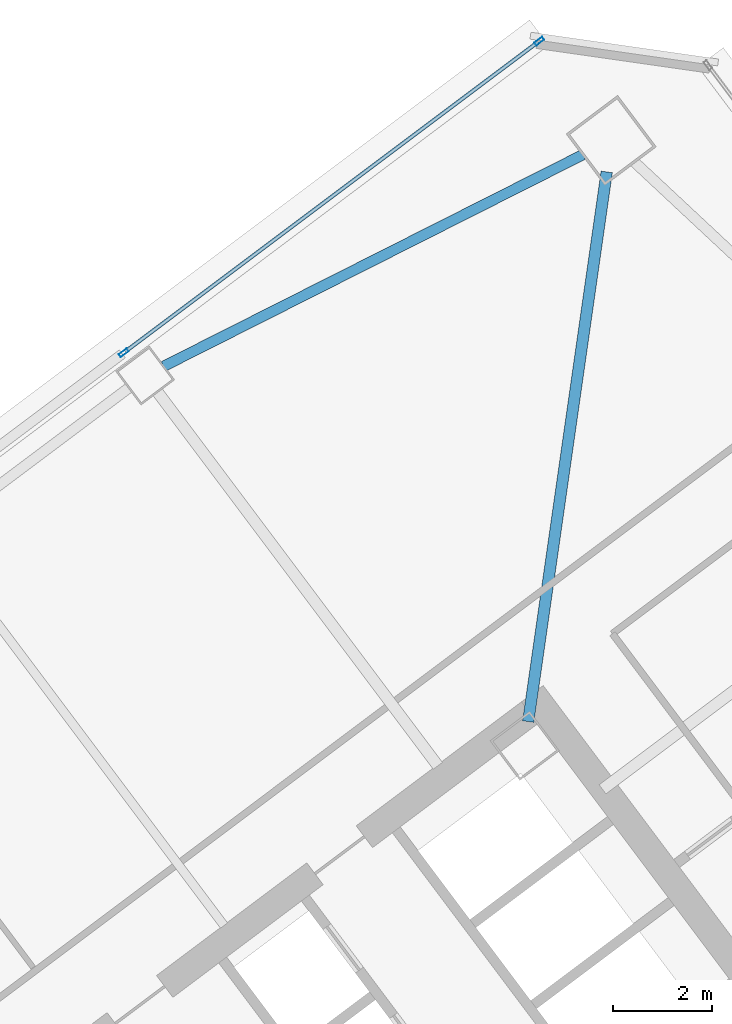
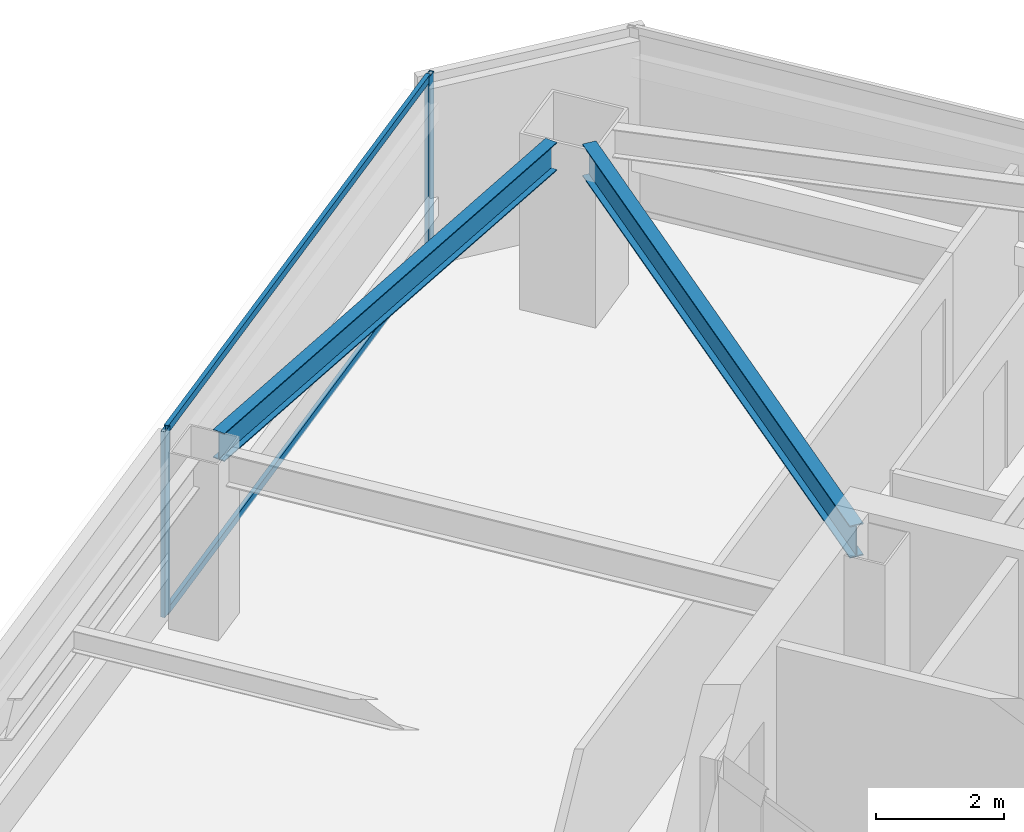
# One storey, part 27 of 41: 4 members, 2 beams, 1 element without a shape of its own.
"""IFC4 building model written with IfcOpenShell, lengths in metres."""

from ifc_helpers import new_model, si_unit, direction, frame, origin, origin_2d, place, context, subcontext, project, spatial, hollow_rectangle, i_section, extrude, material, material_profile, profile_set, type_object, element, aggregate, save


model = new_model("IFC4")

# Units and contexts
model_context = context("Model", 3, precision=1e-05, world=origin(), true_north=direction((0.0, 1.0)))
body_context = subcontext(model_context, "Body", "Model", "MODEL_VIEW")
ifc_project = project(units=[si_unit("LENGTHUNIT", "METRE"), si_unit("AREAUNIT", "SQUARE_METRE"), si_unit("VOLUMEUNIT", "CUBIC_METRE"), si_unit("PLANEANGLEUNIT", "RADIAN"), si_unit("MASSUNIT", "GRAM", prefix="KILO")], contexts=[model_context])

# Site, building, storey
site_placement = place(None, origin())
site = spatial("IfcSite", under=ifc_project, at=site_placement, CompositionType="ELEMENT")
building_placement = place(site_placement, origin())
building = spatial("IfcBuilding", under=site, at=building_placement, Name="Tashvorn Skyway Center", CompositionType="ELEMENT")
storey_placement = place(building_placement, frame((0.0, 0.0, 117.949951171875)))
storey = spatial("IfcBuildingStorey", under=building, at=storey_placement, Name="L31", CompositionType="ELEMENT", Elevation=117.949951171875)

# Beams
ifc_material_1 = material(Name="Steel ASTM A992 Grade 50", Category="steel")
ifc_material_profile_1 = material_profile(ifc_material_1, i_section(OverallWidth=0.22998046875, OverallDepth=0.616943359375, WebThickness=0.01318359375, FlangeThickness=0.022216796875, at=origin_2d()), Name="W24X94")
ifc_profile_set_1 = profile_set([ifc_material_profile_1], Name="Steel ASTM A992 Grade 50")
beam_type_1 = type_object("IfcBeamType", Name="BM-BEAM-W24X94", PredefinedType="BEAM", material=ifc_profile_set_1)
beam_1_placement = place(storey_placement, frame((117.06884765625, 53.4814453125, 3.0615234375), z_axis=(-0.141430483583, -0.989948189712, 0.0), x_axis=(0.989948189712, -0.141430483583, 0.0)))
element("IfcBeam", 1, at=beam_1_placement, inside=storey, type_object=beam_type_1, Name="Tower 2 L31 Primary Floor Girder MC-NE", PredefinedType="BEAM", context=body_context, shape_type="SweptSolid", body=[
    extrude(i_section(OverallWidth=0.22998046875, OverallDepth=0.616943359375, WebThickness=0.01318359375, FlangeThickness=0.022216796875, at=origin_2d()), origin(), (0.0, 0.0, 1.0), 11.234375),
])
ifc_material_profile_2 = material_profile(ifc_material_1, i_section(OverallWidth=0.2109375, OverallDepth=0.5390625, WebThickness=0.01171875, FlangeThickness=0.018798828125, at=origin_2d()), Name="W21X73")
ifc_profile_set_2 = profile_set([ifc_material_profile_2], Name="Steel ASTM A992 Grade 50")
beam_type_2 = type_object("IfcBeamType", Name="BM-SPANDREL-W21X73", PredefinedType="SPANDREL", material=ifc_profile_set_2)
beam_2_placement = place(storey_placement, frame((116.584228515625, 53.829345703125, 3.1005859375), z_axis=(-0.892719124217, -0.450613543136, 0.0), x_axis=(0.450613543136, -0.892719124217, 0.0)))
element("IfcBeam", 2, at=beam_2_placement, inside=storey, type_object=beam_type_2, Name="Tower 2 L31 Spandrel Beam 07", PredefinedType="SPANDREL", context=body_context, shape_type="SweptSolid", body=[
    extrude(i_section(OverallWidth=0.2109375, OverallDepth=0.5390625, WebThickness=0.01171875, FlangeThickness=0.018798828125, at=origin_2d()), origin(), (0.0, 0.0, 1.0), 9.498291015625),
])

# Curtain wall, members
ifc_material_2 = material(Name="Thermally broken bronze-anodized aluminium 6063-T6", Category="aluminium")
curtain_wall_type = type_object("IfcCurtainWallType", Name="CW-CW-Z3", PredefinedType="NOTDEFINED", material=ifc_material_2)
curtain_wall_placement = place(storey_placement, origin())
curtain_wall = element("IfcCurtainWall", 3, at=curtain_wall_placement, inside=storey, type_object=curtain_wall_type, Name="Tower 2 L31 North Unitised Curtain Wall Glazing Group 2", PredefinedType="NOTDEFINED")
ifc_material_profile_3 = material_profile(ifc_material_2, hollow_rectangle(XDim=0.074951171875, YDim=0.199951171875, WallThickness=0.00439453125, at=origin_2d()), Name="ALU-MULL-75x200")
ifc_profile_set_3 = profile_set([ifc_material_profile_3], Name="Thermally broken bronze-anodized aluminium 6063-T6")
member_type_1 = type_object("IfcMemberType", Name="CWM-CW-Z3", PredefinedType="MULLION", material=ifc_profile_set_3)
member_1_placement = place(storey_placement, frame((107.296630859375, 49.822509765625, 0.0), z_axis=(0.0, 0.0, 1.0), x_axis=(-0.600001511345, 0.799998866489, 0.0)))
member_1 = element("IfcMember", 4, at=member_1_placement, type_object=member_type_1, Name="CW-Z3 mullion 1", PredefinedType="MULLION", context=body_context, shape_type="SweptSolid", body=[
    extrude(hollow_rectangle(XDim=0.074951171875, YDim=0.199951171875, WallThickness=0.00439453125, at=origin_2d()), origin(), (0.0, 0.0, 1.0), 3.550048828125),
])
member_2_placement = place(storey_placement, frame((115.7060546875, 56.12939453125, 0.0), z_axis=(0.0, 0.0, 1.0), x_axis=(-0.600001511345, 0.799998866489, 0.0)))
member_2 = element("IfcMember", 5, at=member_2_placement, type_object=member_type_1, Name="CW-Z3 mullion 2", PredefinedType="MULLION", context=body_context, shape_type="SweptSolid", body=[
    extrude(hollow_rectangle(XDim=0.074951171875, YDim=0.199951171875, WallThickness=0.00439453125, at=origin_2d()), origin(), (0.0, 0.0, 1.0), 3.550048828125),
])
ifc_material_profile_4 = material_profile(ifc_material_2, hollow_rectangle(XDim=0.074951171875, YDim=0.139892578125, WallThickness=0.004150390625, at=origin_2d()), Name="ALU-TRAN-75x140")
ifc_profile_set_4 = profile_set([ifc_material_profile_4], Name="Thermally broken bronze-anodized aluminium 6063-T6")
member_type_2 = type_object("IfcMemberType", Name="CWT-CW-Z3", PredefinedType="USERDEFINED", material=ifc_profile_set_4)
member_3_placement = place(storey_placement, frame((107.32666015625, 49.844970703125, 0.03759765625), z_axis=(0.800002807101, 0.599996257181, 0.0), x_axis=(-0.599996257181, 0.800002807101, 0.0)))
member_3 = element("IfcMember", 6, at=member_3_placement, type_object=member_type_2, Name="CW-Z3 transom 1.1", ObjectType="TRANSOM", PredefinedType="USERDEFINED", context=body_context, shape_type="SweptSolid", body=[
    extrude(hollow_rectangle(XDim=0.074951171875, YDim=0.139892578125, WallThickness=0.004150390625, at=origin_2d()), origin(), (0.0, 0.0, 1.0), 10.436767578125),
])
member_4_placement = place(storey_placement, frame((107.32666015625, 49.844970703125, 3.512451171875), z_axis=(0.800002807101, 0.599996257181, 0.0), x_axis=(-0.599996257181, 0.800002807101, 0.0)))
member_4 = element("IfcMember", 7, at=member_4_placement, type_object=member_type_2, Name="CW-Z3 transom 1.2", ObjectType="TRANSOM", PredefinedType="USERDEFINED", context=body_context, shape_type="SweptSolid", body=[
    extrude(hollow_rectangle(XDim=0.074951171875, YDim=0.139892578125, WallThickness=0.004150390625, at=origin_2d()), origin(), (0.0, 0.0, 1.0), 10.436767578125),
])
aggregate(curtain_wall, [member_1, member_2, member_3, member_4])

save(model, "model.ifc")
